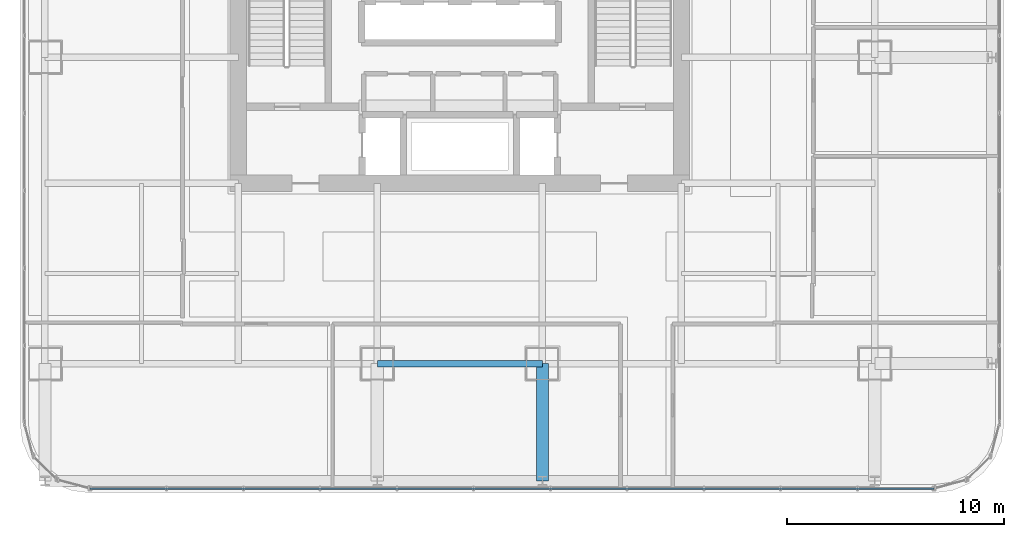
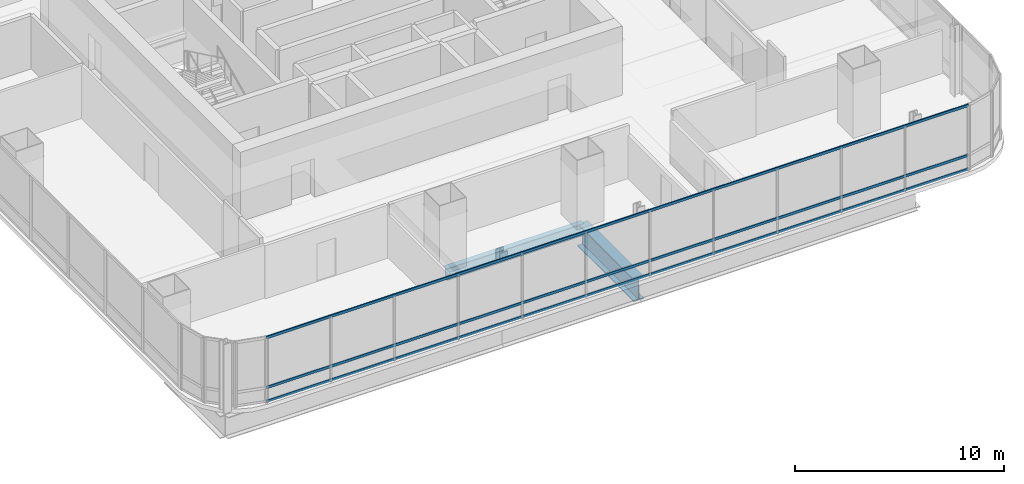
# One storey, part 5 of 34: 3 members, 2 beams, 1 element without a shape of its own.
"""IFC4 building model written with IfcOpenShell, lengths in metres."""

from ifc_helpers import new_model, si_unit, direction, frame, origin, origin_2d, place, context, subcontext, project, spatial, hollow_rectangle, i_section, extrude, material, material_profile, profile_set, type_object, element, aggregate, save


model = new_model("IFC4")

# Units and contexts
model_context = context("Model", 3, precision=1e-05, world=origin(), true_north=direction((0.0, 1.0)))
body_context = subcontext(model_context, "Body", "Model", "MODEL_VIEW")
ifc_project = project(units=[si_unit("LENGTHUNIT", "METRE"), si_unit("AREAUNIT", "SQUARE_METRE"), si_unit("VOLUMEUNIT", "CUBIC_METRE"), si_unit("PLANEANGLEUNIT", "RADIAN"), si_unit("MASSUNIT", "GRAM", prefix="KILO")], contexts=[model_context])

# Site, building, storey
site_placement = place(None, origin())
site = spatial("IfcSite", under=ifc_project, at=site_placement, CompositionType="ELEMENT")
building_placement = place(site_placement, origin())
building = spatial("IfcBuilding", under=site, at=building_placement, Name="Punatoya Terracotta Tower", CompositionType="ELEMENT")
storey_placement = place(building_placement, frame((0.0, 0.0, 84.89990234375)))
storey = spatial("IfcBuildingStorey", under=building, at=storey_placement, Name="L19", CompositionType="ELEMENT", Elevation=84.89990234375)

# Beams
ifc_material_1 = material(Name="Steel S355", Category="steel")
ifc_material_profile_1 = material_profile(ifc_material_1, i_section(OverallWidth=0.300048828125, OverallDepth=0.699951171875, WebThickness=0.01708984375, FlangeThickness=0.031982421875, FilletRadius=0.01806640625, at=origin_2d()))
ifc_profile_set_1 = profile_set([ifc_material_profile_1], Name="Steel S355")
beam_type_1 = type_object("IfcBeamType", Name="BM-PRI-700", PredefinedType="BEAM", material=ifc_profile_set_1)
beam_1_placement = place(storey_placement, frame((-3.800048828125, -17.5, -0.58984375), z_axis=(1.0, 0.0, 0.0), x_axis=(0.0, 1.0, 0.0)))
element("IfcBeam", 1, at=beam_1_placement, inside=storey, type_object=beam_type_1, Name="BM-L19-RG-S2", PredefinedType="BEAM", context=body_context, shape_type="SweptSolid", body=[
    extrude(i_section(OverallWidth=0.300048828125, OverallDepth=0.699951171875, WebThickness=0.01708984375, FlangeThickness=0.031982421875, FilletRadius=0.01806640625, at=origin_2d()), origin(), (0.0, 0.0, 1.0), 7.60009765625),
])
ifc_material_2 = material(Name="Steel S460", Category="steel")
ifc_material_profile_2 = material_profile(ifc_material_2, i_section(OverallWidth=0.56005859375, OverallDepth=1.320068359375, WebThickness=0.035888671875, FlangeThickness=0.054931640625, FilletRadius=0.01806640625, at=origin_2d()))
ifc_profile_set_2 = profile_set([ifc_material_profile_2], Name="Steel S460")
beam_type_2 = type_object("IfcBeamType", Name="BM-TG-BLK", PredefinedType="BEAM", material=ifc_profile_set_2)
beam_2_placement = place(storey_placement, frame((3.800048828125, -22.89990234375, -0.89990234375), z_axis=(0.0, 1.0, 0.0), x_axis=(-1.0, 0.0, 0.0)))
element("IfcBeam", 2, at=beam_2_placement, inside=storey, type_object=beam_type_2, Name="BM-L19-CANT-S3", PredefinedType="BEAM", context=body_context, shape_type="SweptSolid", body=[
    extrude(i_section(OverallWidth=0.56005859375, OverallDepth=1.320068359375, WebThickness=0.035888671875, FlangeThickness=0.054931640625, FilletRadius=0.01806640625, at=origin_2d()), origin(), (0.0, 0.0, 1.0), 5.39990234375),
])

# Curtain wall, members
ifc_material_3 = material(Name="Aluminium 6063-T6 + Double Low-E Glass", Category="aluminium")
curtain_wall_type = type_object("IfcCurtainWallType", Name="CW-M1", PredefinedType="NOTDEFINED", material=ifc_material_3)
curtain_wall_placement = place(storey_placement, origin())
curtain_wall = element("IfcCurtainWall", 3, at=curtain_wall_placement, inside=storey, type_object=curtain_wall_type, Name="L19 Curtain Wall CW-L19-S01-1", PredefinedType="NOTDEFINED")
ifc_material_4 = material(Name="Aluminium 6063-T6", Category="aluminium")
ifc_material_profile_3 = material_profile(ifc_material_4, hollow_rectangle(XDim=0.068115234375, YDim=0.14990234375, WallThickness=0.00390625, at=origin_2d()))
ifc_profile_set_3 = profile_set([ifc_material_profile_3], Name="Aluminium 6063-T6")
member_type = type_object("IfcMemberType", Name="CW-TRN-TYP", PredefinedType="USERDEFINED", material=ifc_profile_set_3)
member_1_placement = place(storey_placement, frame((-17.036865234375, -23.25, 0.0400390625), z_axis=(1.0, 0.0, 0.0), x_axis=(0.0, 1.0, 0.0)))
member_1 = element("IfcMember", 4, at=member_1_placement, type_object=member_type, Name="CW-L19-S01-1 Transom 1", ObjectType="TRANSOM", PredefinedType="USERDEFINED", context=body_context, shape_type="SweptSolid", body=[
    extrude(hollow_rectangle(XDim=0.068115234375, YDim=0.14990234375, WallThickness=0.00390625, at=origin_2d()), origin(), (0.0, 0.0, 1.0), 38.873779296875),
])
member_2_placement = place(storey_placement, frame((-17.036865234375, -23.25, 0.85009765625), z_axis=(1.0, 0.0, 0.0), x_axis=(0.0, 1.0, 0.0)))
member_2 = element("IfcMember", 5, at=member_2_placement, type_object=member_type, Name="CW-L19-S01-1 Transom 2", ObjectType="TRANSOM", PredefinedType="USERDEFINED", context=body_context, shape_type="SweptSolid", body=[
    extrude(hollow_rectangle(XDim=0.068115234375, YDim=0.14990234375, WallThickness=0.00390625, at=origin_2d()), origin(), (0.0, 0.0, 1.0), 38.873779296875),
])
member_3_placement = place(storey_placement, frame((-17.036865234375, -23.25, 3.77001953125), z_axis=(1.0, 0.0, 0.0), x_axis=(0.0, 1.0, 0.0)))
member_3 = element("IfcMember", 6, at=member_3_placement, type_object=member_type, Name="CW-L19-S01-1 Transom 3", ObjectType="TRANSOM", PredefinedType="USERDEFINED", context=body_context, shape_type="SweptSolid", body=[
    extrude(hollow_rectangle(XDim=0.068115234375, YDim=0.14990234375, WallThickness=0.00390625, at=origin_2d()), origin(), (0.0, 0.0, 1.0), 38.873779296875),
])
aggregate(curtain_wall, [member_1, member_2, member_3])

save(model, "model.ifc")
